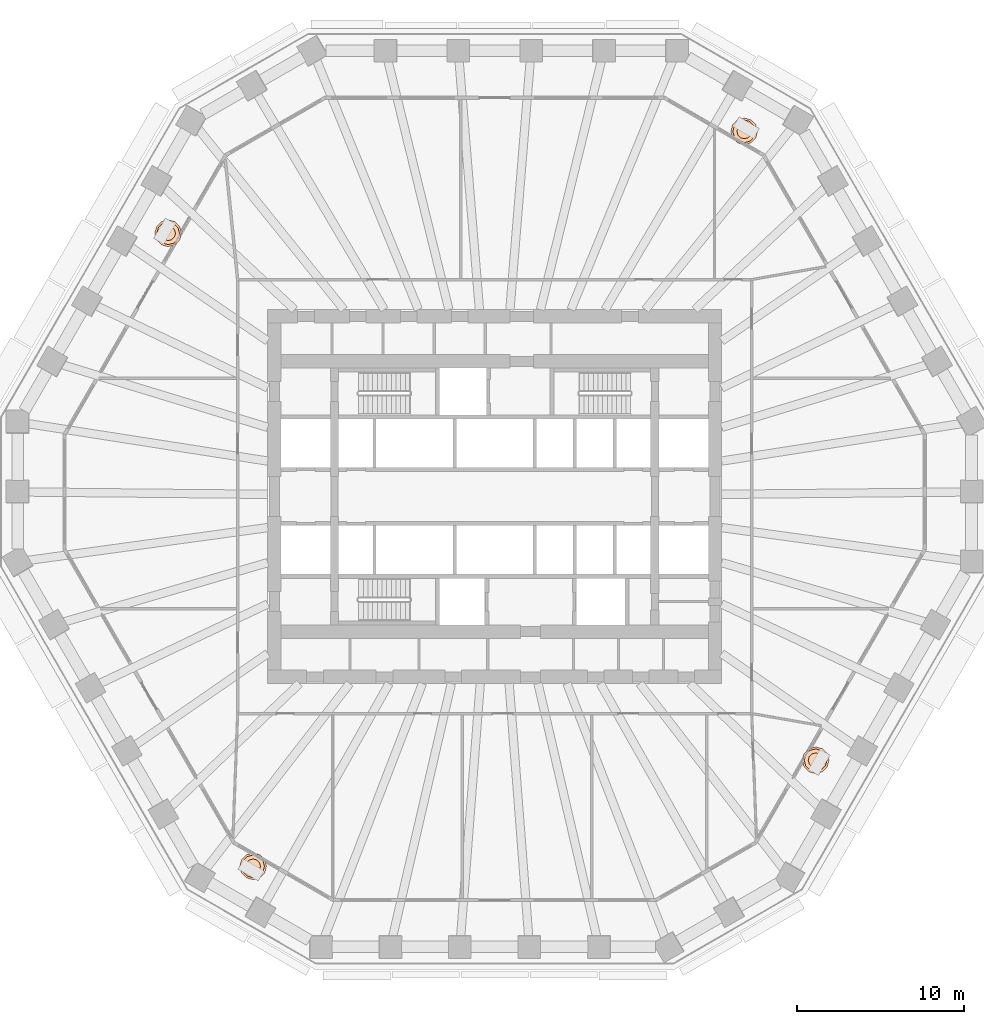
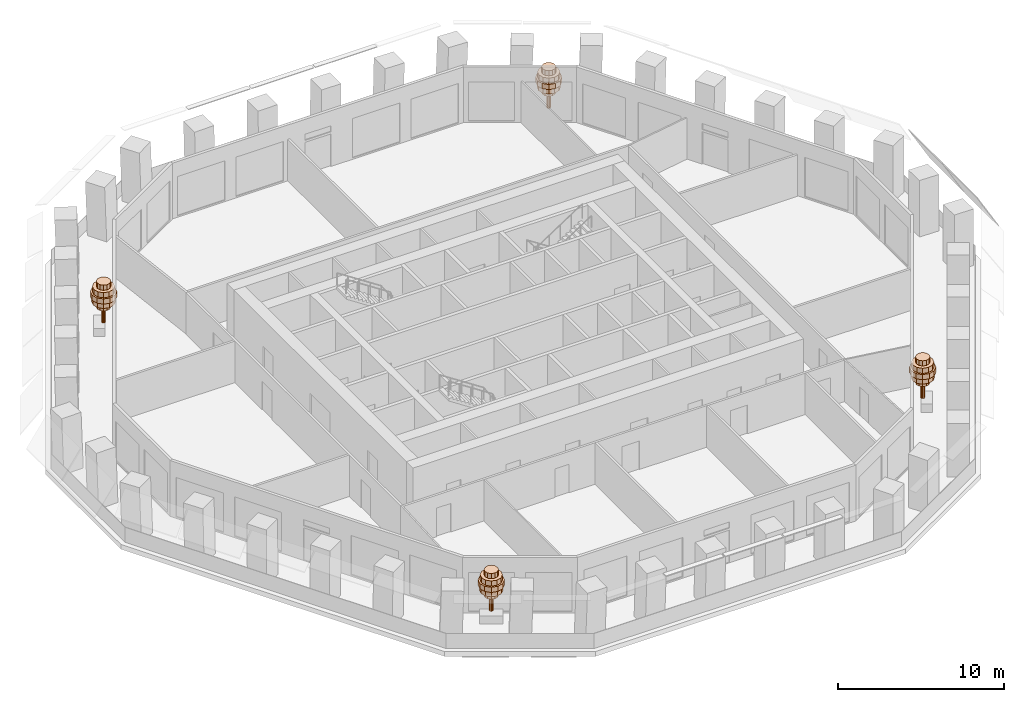
# One storey, part 12 of 12: 4 geographic elements.
"""IFC4 building model written with IfcOpenShell, lengths in metres."""

import ifcopenshell
import ifcopenshell.guid

model = None  # the IFC model being written
_history = None  # IfcOwnerHistory: only IFC2X3 demands one
_inside = {}  # id of a spatial element -> (the spatial element, [elements in it])
_under = {}  # id of a project, library or spatial element -> (it, [spatial elements below it])
_declared = {}  # id of a project -> (the project, [libraries it declares])
_typed = {}  # id of a type object -> (the type object, [elements of that type])
_made_of = {}  # id of a material, layer set ... -> (it, [elements and type objects made of it])


def new_model(schema):
    """Start an empty IFC model of exactly this schema.

    Asked for "IFC4X3", IfcOpenShell would pick the latest addendum, in which some entities
    have other attributes; the version numbers below select the first issue.
    IFC2X3 requires an IfcOwnerHistory on every rooted entity: one is made here for all.
    """
    global model, _history
    if schema == "IFC4X3":
        model = ifcopenshell.file(schema_version=(4, 3, 0, 0))
    else:
        model = ifcopenshell.file(schema=schema)
    _inside.clear()
    _under.clear()
    _declared.clear()
    _typed.clear()
    _made_of.clear()
    _history = None
    if model.schema == "IFC2X3":
        org = make("IfcOrganization", Name="unknown")
        user = make(
            "IfcPersonAndOrganization",
            ThePerson=make("IfcPerson", FamilyName="unknown"),
            TheOrganization=org,
        )
        app = make(
            "IfcApplication",
            ApplicationDeveloper=org,
            Version="unknown",
            ApplicationFullName="unknown",
            ApplicationIdentifier="unknown",
        )
        _history = make(
            "IfcOwnerHistory",
            OwningUser=user,
            OwningApplication=app,
            ChangeAction="ADDED",
            CreationDate=0,
        )
    return model


def make(cls, **values):
    """One entity of the class cls with the attributes given. An attribute that is None is left unset."""
    return model.create_entity(
        cls, **{name: value for name, value in values.items() if value is not None}
    )


def rooted(cls, **values):
    """An entity with a GlobalId (a new one), such as an element, a storey or a relation."""
    return make(cls, GlobalId=ifcopenshell.guid.new(), OwnerHistory=_history, **values)


def si_unit(unit_type, name, prefix=None):
    """IfcSIUnit, for example si_unit("LENGTHUNIT", "METRE", prefix="MILLI")."""
    return make("IfcSIUnit", UnitType=unit_type, Prefix=prefix, Name=name)


def assignment(units):
    """IfcUnitAssignment: the units of a project."""
    return None if units is None else make("IfcUnitAssignment", Units=units)


def point(xyz):
    """IfcCartesianPoint."""
    return None if xyz is None else make("IfcCartesianPoint", Coordinates=xyz)


def direction(xyz):
    """IfcDirection."""
    return None if xyz is None else make("IfcDirection", DirectionRatios=xyz)


def frame(location, z_axis=None, x_axis=None):
    """IfcAxis2Placement3D, a coordinate frame: its origin and axes. An axis left out is left unset."""
    return make(
        "IfcAxis2Placement3D",
        Location=point(location),
        Axis=direction(z_axis),
        RefDirection=direction(x_axis),
    )


def origin():
    """The frame at (0, 0, 0) with its axes left unset."""
    return frame((0.0, 0.0, 0.0))


def place(relative_to, where):
    """IfcLocalPlacement: puts the frame where relative to a parent placement (None: the world)."""
    return make(
        "IfcLocalPlacement", PlacementRelTo=relative_to, RelativePlacement=where
    )


def context(
    kind, dimensions, precision=None, world=None, true_north=None, identifier=None
):
    """IfcGeometricRepresentationContext, for example the 3D "Model" context."""
    return make(
        "IfcGeometricRepresentationContext",
        ContextIdentifier=identifier,
        ContextType=kind,
        CoordinateSpaceDimension=dimensions,
        Precision=precision,
        WorldCoordinateSystem=world,
        TrueNorth=true_north,
    )


def subcontext(parent, identifier, kind, view, scale=None):
    """IfcGeometricRepresentationSubContext, for example "Body" below "Model"."""
    return make(
        "IfcGeometricRepresentationSubContext",
        ContextIdentifier=identifier,
        ContextType=kind,
        ParentContext=parent,
        TargetScale=scale,
        TargetView=view,
    )


def project(units=None, contexts=None):
    """IfcProject with its units and contexts."""
    return rooted(
        "IfcProject",
        Name="project",
        RepresentationContexts=contexts,
        UnitsInContext=assignment(units),
    )


def spatial(cls, under=None, at=None, **own):
    """A site, building, storey or space (cls), placed at a placement, below another one or the project."""
    s = rooted(cls, ObjectPlacement=at, **own)
    if under is not None:
        _under.setdefault(under.id(), (under, []))[1].append(s)
    return s


def polyline(points):
    """IfcPolyline through the points."""
    return make("IfcPolyline", Points=[point(p) for p in points])


def outline(outer, holes=None, kind="AREA"):
    """IfcArbitraryClosedProfileDef: a profile drawn as a closed curve; with holes, ...WithVoids."""
    if holes is None:
        return make("IfcArbitraryClosedProfileDef", ProfileType=kind, OuterCurve=outer)
    return make(
        "IfcArbitraryProfileDefWithVoids",
        ProfileType=kind,
        OuterCurve=outer,
        InnerCurves=holes,
    )


def extrude(swept, where, along, depth):
    """IfcExtrudedAreaSolid: the profile swept, set in the frame where, extruded along a direction by depth."""
    return make(
        "IfcExtrudedAreaSolid",
        SweptArea=swept,
        Position=where,
        ExtrudedDirection=direction(along),
        Depth=depth,
    )


def shape(context_of_items, identifier, shape_type, items):
    """IfcShapeRepresentation: the items that make up one representation, for example the "Body"."""
    return make(
        "IfcShapeRepresentation",
        ContextOfItems=context_of_items,
        RepresentationIdentifier=identifier,
        RepresentationType=shape_type,
        Items=items,
    )


def material(Name=None, Category=None):
    """IfcMaterial."""
    return make("IfcMaterial", Name=Name, Category=Category)


def made_of(thing, what):
    """Note that an element or type object is made of a material, layer set ...; save() writes the relation."""
    if what is not None:
        _made_of.setdefault(what.id(), (what, []))[1].append(thing)
    return thing


def type_object(cls, material=None, **own):
    """A type object (cls), such as IfcWallType, which elements share."""
    return made_of(rooted(cls, **own), material)


def element(
    cls,
    number,
    at=None,
    inside=None,
    cuts=None,
    type_object=None,
    material=None,
    context=None,
    identifier="Body",
    shape_type=None,
    held_by="IfcProductDefinitionShape",
    body=None,
    shapes=None,
    **own,
):
    """One element of the class cls, such as IfcWall. Its Tag is "e" and its number.

    at: its placement. inside: the storey or other place that contains it. cuts: it is an
    opening in that element (IfcRelVoidsElement). A single representation is given by context,
    identifier, shape_type and body (its items); several are given by shapes. held_by: the class
    of the entity that holds the representations. save() writes the other relations.
    """
    e = rooted(cls, Tag="e%d" % number, ObjectPlacement=at, **own)
    if body is not None:
        shapes = [shape(context, identifier, shape_type, body)]
    if shapes is not None:
        e.Representation = make(held_by, Representations=shapes)
    if inside is not None:
        _inside.setdefault(inside.id(), (inside, []))[1].append(e)
    if cuts is not None:
        rooted(
            "IfcRelVoidsElement", RelatingBuildingElement=cuts, RelatedOpeningElement=e
        )
    if type_object is not None:
        _typed.setdefault(type_object.id(), (type_object, []))[1].append(e)
    return made_of(e, material)


def aggregate(whole, parts):
    """IfcRelAggregates: a whole, such as a stair, and the parts it consists of."""
    return rooted("IfcRelAggregates", RelatingObject=whole, RelatedObjects=parts)


def save(model, path):
    """Write the relations noted so far, then the file.

    IfcRelAggregates (storeys below a building ...), IfcRelContainedInSpatialStructure (elements
    in a storey), IfcRelDefinesByType, IfcRelAssociatesMaterial and IfcRelDeclares: one each for
    every whole, place, type object, material and project.
    """
    for whole, parts in _under.values():
        aggregate(whole, parts)
    for where, things in _inside.values():
        rooted(
            "IfcRelContainedInSpatialStructure",
            RelatedElements=things,
            RelatingStructure=where,
        )
    for kind, things in _typed.values():
        rooted("IfcRelDefinesByType", RelatedObjects=things, RelatingType=kind)
    for what, things in _made_of.values():
        rooted("IfcRelAssociatesMaterial", RelatedObjects=things, RelatingMaterial=what)
    for by, libraries in _declared.values():
        rooted("IfcRelDeclares", RelatingContext=by, RelatedDefinitions=libraries)
    model.write(path)


model = new_model("IFC4")

# Units and contexts
model_context = context("Model", 3, precision=1e-05, world=origin(), true_north=direction((0.0, 1.0)))
body_context = subcontext(model_context, "Body", "Model", "MODEL_VIEW")
ifc_project = project(units=[si_unit("LENGTHUNIT", "METRE"), si_unit("AREAUNIT", "SQUARE_METRE"), si_unit("VOLUMEUNIT", "CUBIC_METRE"), si_unit("PLANEANGLEUNIT", "RADIAN"), si_unit("MASSUNIT", "GRAM", prefix="KILO")], contexts=[model_context])

# Site, building, storey
site_placement = place(None, origin())
site = spatial("IfcSite", under=ifc_project, at=site_placement, CompositionType="ELEMENT")
building_placement = place(site_placement, origin())
building = spatial("IfcBuilding", under=site, at=building_placement, Name="Frailejon Research Tower", CompositionType="ELEMENT")
storey_placement = place(building_placement, frame((0.0, 0.0, 89.60009765625)))
storey = spatial("IfcBuildingStorey", under=building, at=storey_placement, Name="L19", CompositionType="ELEMENT", Elevation=89.60009765625)

# Geographic elements
ifc_material = material(Name="Foliage, green")
geographic_element_type = type_object("IfcGeographicElementType", Name="Frailejon tree, loggia", PredefinedType="USERDEFINED", material=ifc_material)
geographic_element_1_placement = place(storey_placement, frame((14.95068359375, 21.878173828125, 0.599853515625)))
element("IfcGeographicElement", 1, at=geographic_element_1_placement, inside=storey, type_object=geographic_element_type, Name="Tree L19", ObjectType="TREE", PredefinedType="USERDEFINED", context=body_context, shape_type="SweptSolid", body=[
    extrude(outline(polyline([(0.1298828125, 0.0), (0.112548828125, 0.06494140625), (0.06494140625, 0.112548828125), (0.0, 0.1298828125), (-0.06494140625, 0.112548828125), (-0.112548828125, 0.06494140625), (-0.1298828125, 0.0), (-0.112548828125, -0.06494140625), (-0.06494140625, -0.112548828125), (0.0, -0.1298828125), (0.06494140625, -0.112548828125), (0.112548828125, -0.06494140625), (0.1298828125, 0.0)])), origin(), (0.0, 0.0, 1.0), 2.239990234375),
    extrude(outline(polyline([(0.43994140625, 0.0), (0.381103515625, 0.219970703125), (0.219970703125, 0.381103515625), (0.0, 0.43994140625), (-0.219970703125, 0.381103515625), (-0.381103515625, 0.219970703125), (-0.43994140625, 0.0), (-0.381103515625, -0.219970703125), (-0.219970703125, -0.381103515625), (0.0, -0.43994140625), (0.219970703125, -0.381103515625), (0.381103515625, -0.219970703125), (0.43994140625, 0.0)])), frame((0.0, 0.0, 1.10009765625)), (0.0, 0.0, 1.0), 0.3798828125),
    extrude(outline(polyline([(0.719970703125, 0.0), (0.62353515625, 0.360107421875), (0.360107421875, 0.62353515625), (0.0, 0.719970703125), (-0.360107421875, 0.62353515625), (-0.62353515625, 0.360107421875), (-0.719970703125, 0.0), (-0.62353515625, -0.360107421875), (-0.360107421875, -0.62353515625), (0.0, -0.719970703125), (0.360107421875, -0.62353515625), (0.62353515625, -0.360107421875), (0.719970703125, 0.0)])), frame((0.0, 0.0, 1.47998046875)), (0.0, 0.0, 1.0), 0.3798828125),
    extrude(outline(polyline([(0.800048828125, 0.0), (0.69287109375, 0.39990234375), (0.39990234375, 0.69287109375), (0.0, 0.800048828125), (-0.39990234375, 0.69287109375), (-0.69287109375, 0.39990234375), (-0.800048828125, 0.0), (-0.69287109375, -0.39990234375), (-0.39990234375, -0.69287109375), (0.0, -0.800048828125), (0.39990234375, -0.69287109375), (0.69287109375, -0.39990234375), (0.800048828125, 0.0)])), frame((0.0, 0.0, 1.860107421875)), (0.0, 0.0, 1.0), 0.3798828125),
    extrude(outline(polyline([(0.679931640625, 0.0), (0.5888671875, 0.340087890625), (0.340087890625, 0.5888671875), (0.0, 0.679931640625), (-0.340087890625, 0.5888671875), (-0.5888671875, 0.340087890625), (-0.679931640625, 0.0), (-0.5888671875, -0.340087890625), (-0.340087890625, -0.5888671875), (0.0, -0.679931640625), (0.340087890625, -0.5888671875), (0.5888671875, -0.340087890625), (0.679931640625, 0.0)])), frame((0.0, 0.0, 2.239990234375)), (0.0, 0.0, 1.0), 0.3798828125),
    extrude(outline(polyline([(0.43994140625, 0.0), (0.381103515625, 0.219970703125), (0.219970703125, 0.381103515625), (0.0, 0.43994140625), (-0.219970703125, 0.381103515625), (-0.381103515625, 0.219970703125), (-0.43994140625, 0.0), (-0.381103515625, -0.219970703125), (-0.219970703125, -0.381103515625), (0.0, -0.43994140625), (0.219970703125, -0.381103515625), (0.381103515625, -0.219970703125), (0.43994140625, 0.0)])), frame((0.0, 0.0, 2.6201171875)), (0.0, 0.0, 1.0), 0.3798828125),
])
geographic_element_2_placement = place(storey_placement, frame((-19.56103515625, 15.772216796875, 0.599853515625)))
element("IfcGeographicElement", 2, at=geographic_element_2_placement, inside=storey, type_object=geographic_element_type, Name="Tree L19", ObjectType="TREE", PredefinedType="USERDEFINED", context=body_context, shape_type="SweptSolid", body=[
    extrude(outline(polyline([(0.1298828125, 0.0), (0.112548828125, 0.06494140625), (0.06494140625, 0.112548828125), (0.0, 0.1298828125), (-0.06494140625, 0.112548828125), (-0.112548828125, 0.06494140625), (-0.1298828125, 0.0), (-0.112548828125, -0.06494140625), (-0.06494140625, -0.112548828125), (0.0, -0.1298828125), (0.06494140625, -0.112548828125), (0.112548828125, -0.06494140625), (0.1298828125, 0.0)])), origin(), (0.0, 0.0, 1.0), 2.239990234375),
    extrude(outline(polyline([(0.43994140625, 0.0), (0.381103515625, 0.219970703125), (0.219970703125, 0.381103515625), (0.0, 0.43994140625), (-0.219970703125, 0.381103515625), (-0.381103515625, 0.219970703125), (-0.43994140625, 0.0), (-0.381103515625, -0.219970703125), (-0.219970703125, -0.381103515625), (0.0, -0.43994140625), (0.219970703125, -0.381103515625), (0.381103515625, -0.219970703125), (0.43994140625, 0.0)])), frame((0.0, 0.0, 1.10009765625)), (0.0, 0.0, 1.0), 0.3798828125),
    extrude(outline(polyline([(0.719970703125, 0.0), (0.62353515625, 0.360107421875), (0.360107421875, 0.62353515625), (0.0, 0.719970703125), (-0.360107421875, 0.62353515625), (-0.62353515625, 0.360107421875), (-0.719970703125, 0.0), (-0.62353515625, -0.360107421875), (-0.360107421875, -0.62353515625), (0.0, -0.719970703125), (0.360107421875, -0.62353515625), (0.62353515625, -0.360107421875), (0.719970703125, 0.0)])), frame((0.0, 0.0, 1.47998046875)), (0.0, 0.0, 1.0), 0.3798828125),
    extrude(outline(polyline([(0.800048828125, 0.0), (0.69287109375, 0.39990234375), (0.39990234375, 0.69287109375), (0.0, 0.800048828125), (-0.39990234375, 0.69287109375), (-0.69287109375, 0.39990234375), (-0.800048828125, 0.0), (-0.69287109375, -0.39990234375), (-0.39990234375, -0.69287109375), (0.0, -0.800048828125), (0.39990234375, -0.69287109375), (0.69287109375, -0.39990234375), (0.800048828125, 0.0)])), frame((0.0, 0.0, 1.860107421875)), (0.0, 0.0, 1.0), 0.3798828125),
    extrude(outline(polyline([(0.679931640625, 0.0), (0.5888671875, 0.340087890625), (0.340087890625, 0.5888671875), (0.0, 0.679931640625), (-0.340087890625, 0.5888671875), (-0.5888671875, 0.340087890625), (-0.679931640625, 0.0), (-0.5888671875, -0.340087890625), (-0.340087890625, -0.5888671875), (0.0, -0.679931640625), (0.340087890625, -0.5888671875), (0.5888671875, -0.340087890625), (0.679931640625, 0.0)])), frame((0.0, 0.0, 2.239990234375)), (0.0, 0.0, 1.0), 0.3798828125),
    extrude(outline(polyline([(0.43994140625, 0.0), (0.381103515625, 0.219970703125), (0.219970703125, 0.381103515625), (0.0, 0.43994140625), (-0.219970703125, 0.381103515625), (-0.381103515625, 0.219970703125), (-0.43994140625, 0.0), (-0.381103515625, -0.219970703125), (-0.219970703125, -0.381103515625), (0.0, -0.43994140625), (0.219970703125, -0.381103515625), (0.381103515625, -0.219970703125), (0.43994140625, 0.0)])), frame((0.0, 0.0, 2.6201171875)), (0.0, 0.0, 1.0), 0.3798828125),
])
geographic_element_3_placement = place(storey_placement, frame((-14.4716796875, -22.15478515625, 0.599853515625)))
element("IfcGeographicElement", 3, at=geographic_element_3_placement, inside=storey, type_object=geographic_element_type, Name="Tree L19", ObjectType="TREE", PredefinedType="USERDEFINED", context=body_context, shape_type="SweptSolid", body=[
    extrude(outline(polyline([(0.1298828125, 0.0), (0.112548828125, 0.06494140625), (0.06494140625, 0.112548828125), (0.0, 0.1298828125), (-0.06494140625, 0.112548828125), (-0.112548828125, 0.06494140625), (-0.1298828125, 0.0), (-0.112548828125, -0.06494140625), (-0.06494140625, -0.112548828125), (0.0, -0.1298828125), (0.06494140625, -0.112548828125), (0.112548828125, -0.06494140625), (0.1298828125, 0.0)])), origin(), (0.0, 0.0, 1.0), 2.239990234375),
    extrude(outline(polyline([(0.43994140625, 0.0), (0.381103515625, 0.219970703125), (0.219970703125, 0.381103515625), (0.0, 0.43994140625), (-0.219970703125, 0.381103515625), (-0.381103515625, 0.219970703125), (-0.43994140625, 0.0), (-0.381103515625, -0.219970703125), (-0.219970703125, -0.381103515625), (0.0, -0.43994140625), (0.219970703125, -0.381103515625), (0.381103515625, -0.219970703125), (0.43994140625, 0.0)])), frame((0.0, 0.0, 1.10009765625)), (0.0, 0.0, 1.0), 0.3798828125),
    extrude(outline(polyline([(0.719970703125, 0.0), (0.62353515625, 0.360107421875), (0.360107421875, 0.62353515625), (0.0, 0.719970703125), (-0.360107421875, 0.62353515625), (-0.62353515625, 0.360107421875), (-0.719970703125, 0.0), (-0.62353515625, -0.360107421875), (-0.360107421875, -0.62353515625), (0.0, -0.719970703125), (0.360107421875, -0.62353515625), (0.62353515625, -0.360107421875), (0.719970703125, 0.0)])), frame((0.0, 0.0, 1.47998046875)), (0.0, 0.0, 1.0), 0.3798828125),
    extrude(outline(polyline([(0.800048828125, 0.0), (0.69287109375, 0.39990234375), (0.39990234375, 0.69287109375), (0.0, 0.800048828125), (-0.39990234375, 0.69287109375), (-0.69287109375, 0.39990234375), (-0.800048828125, 0.0), (-0.69287109375, -0.39990234375), (-0.39990234375, -0.69287109375), (0.0, -0.800048828125), (0.39990234375, -0.69287109375), (0.69287109375, -0.39990234375), (0.800048828125, 0.0)])), frame((0.0, 0.0, 1.860107421875)), (0.0, 0.0, 1.0), 0.3798828125),
    extrude(outline(polyline([(0.679931640625, 0.0), (0.5888671875, 0.340087890625), (0.340087890625, 0.5888671875), (0.0, 0.679931640625), (-0.340087890625, 0.5888671875), (-0.5888671875, 0.340087890625), (-0.679931640625, 0.0), (-0.5888671875, -0.340087890625), (-0.340087890625, -0.5888671875), (0.0, -0.679931640625), (0.340087890625, -0.5888671875), (0.5888671875, -0.340087890625), (0.679931640625, 0.0)])), frame((0.0, 0.0, 2.239990234375)), (0.0, 0.0, 1.0), 0.3798828125),
    extrude(outline(polyline([(0.43994140625, 0.0), (0.381103515625, 0.219970703125), (0.219970703125, 0.381103515625), (0.0, 0.43994140625), (-0.219970703125, 0.381103515625), (-0.381103515625, 0.219970703125), (-0.43994140625, 0.0), (-0.381103515625, -0.219970703125), (-0.219970703125, -0.381103515625), (0.0, -0.43994140625), (0.219970703125, -0.381103515625), (0.381103515625, -0.219970703125), (0.43994140625, 0.0)])), frame((0.0, 0.0, 2.6201171875)), (0.0, 0.0, 1.0), 0.3798828125),
])
geographic_element_4_placement = place(storey_placement, frame((19.225830078125, -15.800048828125, 0.599853515625)))
element("IfcGeographicElement", 4, at=geographic_element_4_placement, inside=storey, type_object=geographic_element_type, Name="Tree L19", ObjectType="TREE", PredefinedType="USERDEFINED", context=body_context, shape_type="SweptSolid", body=[
    extrude(outline(polyline([(0.1298828125, 0.0), (0.112548828125, 0.06494140625), (0.06494140625, 0.112548828125), (0.0, 0.1298828125), (-0.06494140625, 0.112548828125), (-0.112548828125, 0.06494140625), (-0.1298828125, 0.0), (-0.112548828125, -0.06494140625), (-0.06494140625, -0.112548828125), (0.0, -0.1298828125), (0.06494140625, -0.112548828125), (0.112548828125, -0.06494140625), (0.1298828125, 0.0)])), origin(), (0.0, 0.0, 1.0), 2.239990234375),
    extrude(outline(polyline([(0.43994140625, 0.0), (0.381103515625, 0.219970703125), (0.219970703125, 0.381103515625), (0.0, 0.43994140625), (-0.219970703125, 0.381103515625), (-0.381103515625, 0.219970703125), (-0.43994140625, 0.0), (-0.381103515625, -0.219970703125), (-0.219970703125, -0.381103515625), (0.0, -0.43994140625), (0.219970703125, -0.381103515625), (0.381103515625, -0.219970703125), (0.43994140625, 0.0)])), frame((0.0, 0.0, 1.10009765625)), (0.0, 0.0, 1.0), 0.3798828125),
    extrude(outline(polyline([(0.719970703125, 0.0), (0.62353515625, 0.360107421875), (0.360107421875, 0.62353515625), (0.0, 0.719970703125), (-0.360107421875, 0.62353515625), (-0.62353515625, 0.360107421875), (-0.719970703125, 0.0), (-0.62353515625, -0.360107421875), (-0.360107421875, -0.62353515625), (0.0, -0.719970703125), (0.360107421875, -0.62353515625), (0.62353515625, -0.360107421875), (0.719970703125, 0.0)])), frame((0.0, 0.0, 1.47998046875)), (0.0, 0.0, 1.0), 0.3798828125),
    extrude(outline(polyline([(0.800048828125, 0.0), (0.69287109375, 0.39990234375), (0.39990234375, 0.69287109375), (0.0, 0.800048828125), (-0.39990234375, 0.69287109375), (-0.69287109375, 0.39990234375), (-0.800048828125, 0.0), (-0.69287109375, -0.39990234375), (-0.39990234375, -0.69287109375), (0.0, -0.800048828125), (0.39990234375, -0.69287109375), (0.69287109375, -0.39990234375), (0.800048828125, 0.0)])), frame((0.0, 0.0, 1.860107421875)), (0.0, 0.0, 1.0), 0.3798828125),
    extrude(outline(polyline([(0.679931640625, 0.0), (0.5888671875, 0.340087890625), (0.340087890625, 0.5888671875), (0.0, 0.679931640625), (-0.340087890625, 0.5888671875), (-0.5888671875, 0.340087890625), (-0.679931640625, 0.0), (-0.5888671875, -0.340087890625), (-0.340087890625, -0.5888671875), (0.0, -0.679931640625), (0.340087890625, -0.5888671875), (0.5888671875, -0.340087890625), (0.679931640625, 0.0)])), frame((0.0, 0.0, 2.239990234375)), (0.0, 0.0, 1.0), 0.3798828125),
    extrude(outline(polyline([(0.43994140625, 0.0), (0.381103515625, 0.219970703125), (0.219970703125, 0.381103515625), (0.0, 0.43994140625), (-0.219970703125, 0.381103515625), (-0.381103515625, 0.219970703125), (-0.43994140625, 0.0), (-0.381103515625, -0.219970703125), (-0.219970703125, -0.381103515625), (0.0, -0.43994140625), (0.219970703125, -0.381103515625), (0.381103515625, -0.219970703125), (0.43994140625, 0.0)])), frame((0.0, 0.0, 2.6201171875)), (0.0, 0.0, 1.0), 0.3798828125),
])

save(model, "model.ifc")
